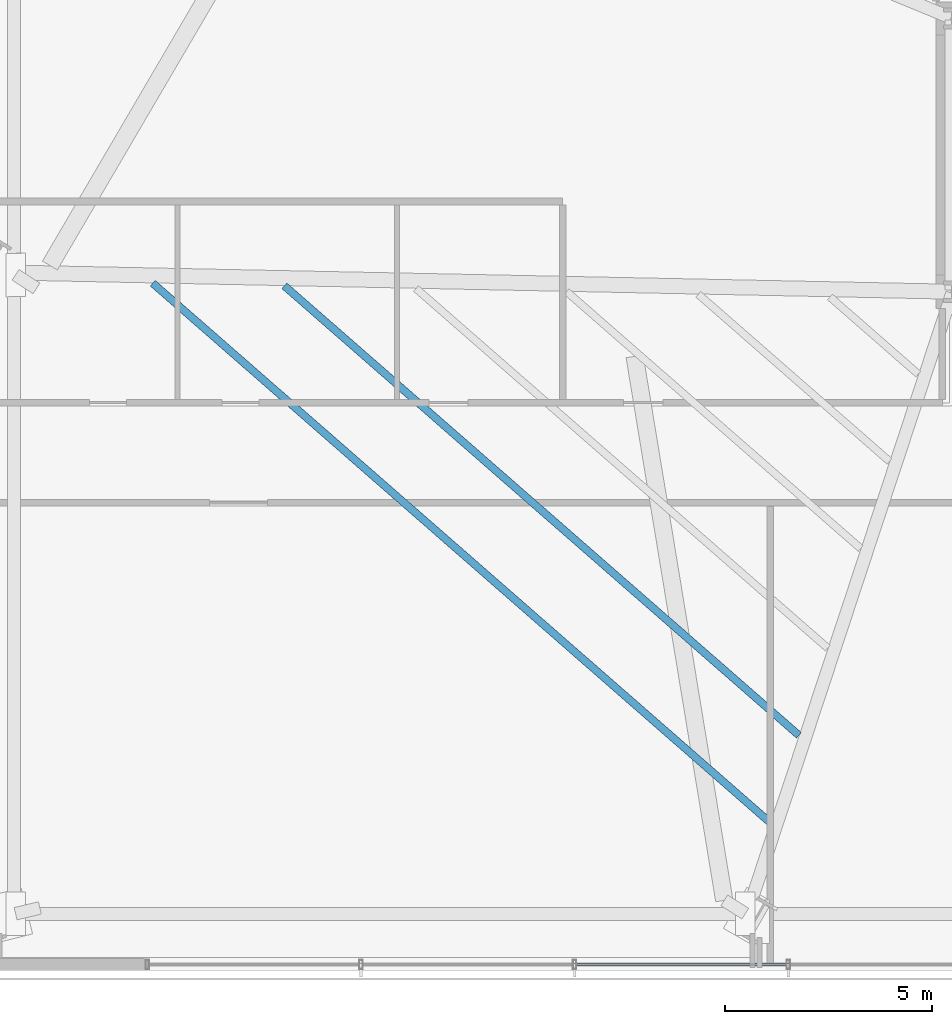
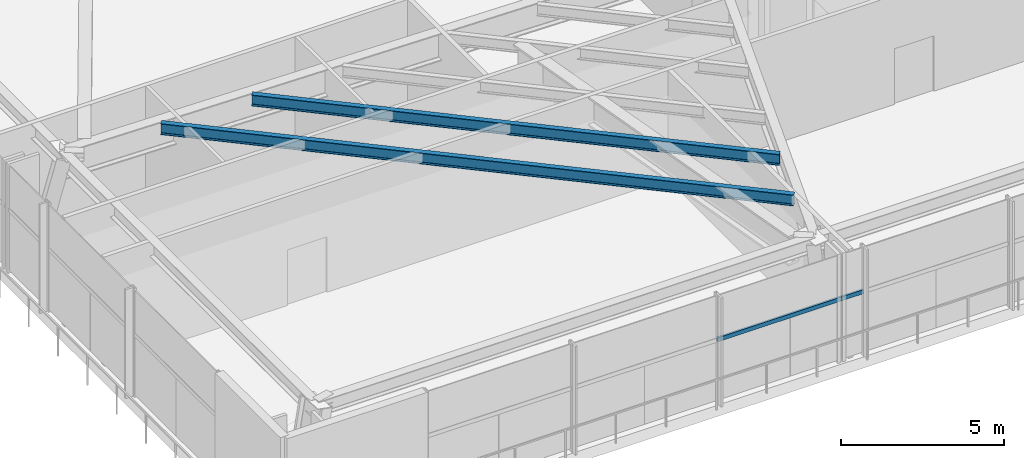
# One storey, part 5 of 36: 2 beams, 1 member, 1 element without a shape of its own.
"""IFC4 building model written with IfcOpenShell, lengths in metres."""

from ifc_helpers import new_model, si_unit, direction, frame, origin, origin_2d, place, context, subcontext, project, spatial, hollow_rectangle, i_section, extrude, source, transform, mapped, material, material_profile, profile_set, type_object, type_shapes, element, aggregate, save


model = new_model("IFC4")

# Units and contexts
model_context = context("Model", 3, precision=1e-05, world=origin(), true_north=direction((0.0, 1.0)))
body_context = subcontext(model_context, "Body", "Model", "MODEL_VIEW")
ifc_project = project(units=[si_unit("LENGTHUNIT", "METRE"), si_unit("AREAUNIT", "SQUARE_METRE"), si_unit("VOLUMEUNIT", "CUBIC_METRE"), si_unit("PLANEANGLEUNIT", "RADIAN"), si_unit("MASSUNIT", "GRAM", prefix="KILO")], contexts=[model_context])

# Site, building, storey
site_placement = place(None, origin())
site = spatial("IfcSite", under=ifc_project, at=site_placement, CompositionType="ELEMENT")
building_placement = place(site_placement, origin())
building = spatial("IfcBuilding", under=site, at=building_placement, Name="Astriad Promenade Condominiums", CompositionType="ELEMENT")
storey_placement = place(building_placement, frame((0.0, 0.0, 5.0)))
storey = spatial("IfcBuildingStorey", under=building, at=storey_placement, Name="L01", CompositionType="ELEMENT", Elevation=5.0)

# Beams
ifc_material_1 = material(Name="Steel ASTM A992 Grade 50", Category="steel")
ifc_material_profile_1 = material_profile(ifc_material_1, i_section(OverallWidth=0.180908203125, OverallDepth=0.417236328125, WebThickness=0.010986328125, FlangeThickness=0.018310546875, FilletRadius=0.013916015625, at=origin_2d()), Name="W16X57")
ifc_profile_set_1 = profile_set([ifc_material_profile_1], Name="Steel ASTM A992 Grade 50")
beam_type = type_object("IfcBeamType", Name="STEEL FLOOR JOIST W16X57", PredefinedType="JOIST", material=ifc_profile_set_1)
shared_shape_1 = source(origin(), body_context, "Body", "SweptSolid", [
    extrude(i_section(OverallWidth=0.180908203125, OverallDepth=0.417236328125, WebThickness=0.010986328125, FlangeThickness=0.018310546875, FilletRadius=0.013916015625, at=origin_2d()), origin(), (0.0, 0.0, 1.0), 19.801025390625),
])
beam_1_placement = place(storey_placement, frame((7.07958984375, 17.6064453125, 3.871337890625), z_axis=(0.753118725207, -0.657884629508, 0.0), x_axis=(0.657884629508, 0.753118725207, 0.0)))
element("IfcBeam", 1, at=beam_1_placement, inside=storey, type_object=beam_type, Name="Secondary Composite Floor Joist JW1-1-L01", PredefinedType="JOIST", context=body_context, shape_type="MappedRepresentation", body=[
    mapped(shared_shape_1, transform((0.0, 0.0, 0.0), scale=1.0)),
])
shared_shape_2 = source(origin(), body_context, "Body", "SweptSolid", [
    extrude(i_section(OverallWidth=0.180908203125, OverallDepth=0.417236328125, WebThickness=0.010986328125, FlangeThickness=0.018310546875, FilletRadius=0.013916015625, at=origin_2d()), origin(), (0.0, 0.0, 1.0), 16.50146484375),
])
type_shapes(beam_type, [shared_shape_1, shared_shape_2])
beam_2_placement = place(storey_placement, frame((10.260498046875, 17.541748046875, 3.871337890625), z_axis=(0.753126336163, -0.657875916703, 0.0), x_axis=(0.657875916703, 0.753126336163, 0.0)))
element("IfcBeam", 2, at=beam_2_placement, inside=storey, type_object=beam_type, Name="Secondary Composite Floor Joist JW1-2-L01", PredefinedType="JOIST", context=body_context, shape_type="MappedRepresentation", body=[
    mapped(shared_shape_2, transform((0.0, 0.0, 0.0), scale=1.0)),
])

# Curtain wall, member
ifc_material_2 = material(Name="Anodised aluminium Black Dark Glass Unitised", Category="aluminium")
curtain_wall_type = type_object("IfcCurtainWallType", Name="CW-POD-DARK", PredefinedType="USERDEFINED", material=ifc_material_2)
curtain_wall_placement = place(storey_placement, origin())
curtain_wall = element("IfcCurtainWall", 3, at=curtain_wall_placement, inside=storey, type_object=curtain_wall_type, Name="CW-L01-S", ObjectType="UNITISED_CURTAIN_WALL", PredefinedType="USERDEFINED")
ifc_material_3 = material(Name="Anodised aluminium 6063-T6 Black", Category="aluminium")
ifc_material_profile_2 = material_profile(ifc_material_3, hollow_rectangle(XDim=0.074951171875, YDim=0.14990234375, WallThickness=0.004150390625, at=origin_2d()), Name="ALU-TRN-75X150")
ifc_profile_set_2 = profile_set([ifc_material_profile_2], Name="Anodised aluminium 6063-T6 Black")
member_type = type_object("IfcMemberType", Name="TRN-ALU-TRN-75X150", PredefinedType="USERDEFINED", material=ifc_profile_set_2)
shared_shape_3 = source(origin(), body_context, "Body", "SweptSolid", [
    extrude(hollow_rectangle(XDim=0.074951171875, YDim=0.14990234375, WallThickness=0.004150390625, at=origin_2d()), origin(), (0.0, 0.0, 1.0), 5.161376953125),
])
type_shapes(member_type, [shared_shape_3])
member_placement = place(storey_placement, frame((22.4345703125, 1.14990234375, 2.35009765625), z_axis=(-1.0, 0.0, 0.0), x_axis=(0.0, -1.0, 0.0)))
member = element("IfcMember", 4, at=member_placement, type_object=member_type, Name="CW-L01-S-TRN-10-0", ObjectType="TRANSOM", PredefinedType="USERDEFINED", context=body_context, shape_type="MappedRepresentation", body=[
    mapped(shared_shape_3, transform((0.0, 0.0, 0.0), scale=1.0)),
])
aggregate(curtain_wall, [member])

save(model, "model.ifc")
